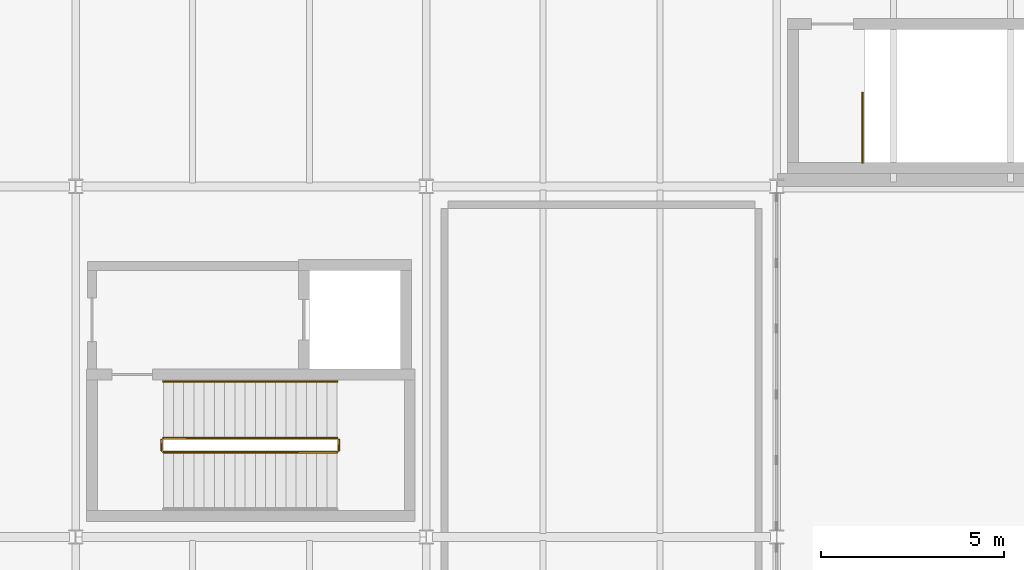
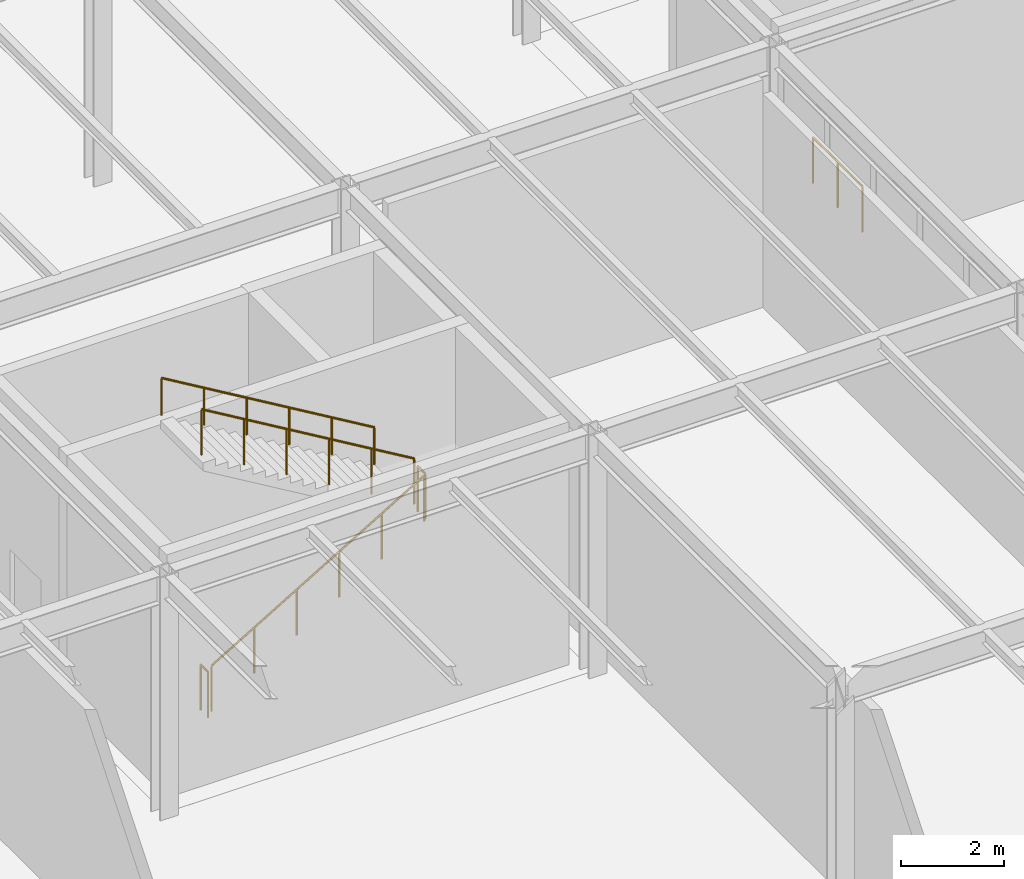
# One storey, part 130 of 142: 6 railings.
"""IFC4 building model written with IfcOpenShell, lengths in metres."""

from ifc_helpers import new_model, si_unit, direction, frame, origin, origin_2d, place, context, subcontext, project, spatial, circle, extrude, material, type_object, element, save


model = new_model("IFC4")

# Units and contexts
model_context = context("Model", 3, precision=1e-05, world=origin(), true_north=direction((0.0, 1.0)))
body_context = subcontext(model_context, "Body", "Model", "MODEL_VIEW")
ifc_project = project(units=[si_unit("LENGTHUNIT", "METRE"), si_unit("AREAUNIT", "SQUARE_METRE"), si_unit("VOLUMEUNIT", "CUBIC_METRE"), si_unit("PLANEANGLEUNIT", "RADIAN"), si_unit("MASSUNIT", "GRAM", prefix="KILO")], contexts=[model_context])

# Site, building, storey
site_placement = place(None, origin())
site = spatial("IfcSite", under=ifc_project, at=site_placement, CompositionType="ELEMENT")
building_placement = place(site_placement, origin())
building = spatial("IfcBuilding", under=site, at=building_placement, Name="Coralgate Yard Interchange", CompositionType="ELEMENT")
storey_placement = place(building_placement, origin())
storey = spatial("IfcBuildingStorey", under=building, at=storey_placement, Name="L00", CompositionType="ELEMENT", Elevation=0.0)

# Railings
ifc_material_1 = material(Name="Grade 316 marine stainless steel and toughened glass balustrade", Category="steel")
railing_type_1 = type_object("IfcRailingType", Name="RLG-GD1100", PredefinedType="BALUSTRADE", material=ifc_material_1)
railing_1_placement = place(storey_placement, frame((12.0, 31.1201171875, 0.166748046875)))
element("IfcRailing", 1, at=railing_1_placement, inside=storey, type_object=railing_type_1, Name="L00 ST-01 stair guard 1", PredefinedType="BALUSTRADE", context=body_context, shape_type="SweptSolid", body=[
    extrude(circle(Radius=0.02392578125, at=origin_2d()), frame((0.0, 0.0, 1.076171875), z_axis=(0.859299802514, 0.0, 0.511472237174), x_axis=(0.0, 1.0, 0.0)), (0.0, 0.0, 1.0), 5.539306640625),
    extrude(circle(Radius=0.02099609375, at=origin_2d()), origin(), (0.0, 0.0, 1.0), 1.051513671875),
    extrude(circle(Radius=0.02099609375, at=origin_2d()), frame((0.951904296875, 0.0, 0.566650390625)), (0.0, 0.0, 1.0), 1.051513671875),
    extrude(circle(Radius=0.02099609375, at=origin_2d()), frame((1.904052734375, 0.0, 1.13330078125)), (0.0, 0.0, 1.0), 1.051513671875),
    extrude(circle(Radius=0.02099609375, at=origin_2d()), frame((2.85595703125, 0.0, 1.699951171875)), (0.0, 0.0, 1.0), 1.051513671875),
    extrude(circle(Radius=0.02099609375, at=origin_2d()), frame((3.80810546875, 0.0, 2.2666015625)), (0.0, 0.0, 1.0), 1.051513671875),
    extrude(circle(Radius=0.02099609375, at=origin_2d()), frame((4.760009765625, 0.0, 2.833251953125)), (0.0, 0.0, 1.0), 1.051513671875),
])
railing_2_placement = place(storey_placement, frame((16.81005859375, 31.169921875, 3.0)))
element("IfcRailing", 2, at=railing_2_placement, inside=storey, type_object=railing_type_1, Name="L00 ST-01 stair guard 2", PredefinedType="BALUSTRADE", context=body_context, shape_type="SweptSolid", body=[
    extrude(circle(Radius=0.02392578125, at=origin_2d()), frame((0.0, 0.0, 1.076171875), z_axis=(0.0, 1.0, 0.0), x_axis=(-1.0, 0.0, 0.0)), (0.0, 0.0, 1.0), 0.2900390625),
    extrude(circle(Radius=0.02099609375, at=origin_2d()), origin(), (0.0, 0.0, 1.0), 1.051513671875),
    extrude(circle(Radius=0.02099609375, at=origin_2d()), frame((0.0, 0.2900390625, 0.0)), (0.0, 0.0, 1.0), 1.051513671875),
])
railing_3_placement = place(storey_placement, frame((16.760009765625, 31.510009765625, 3.166748046875)))
element("IfcRailing", 3, at=railing_3_placement, inside=storey, type_object=railing_type_1, Name="L00 ST-01 stair guard 3", PredefinedType="BALUSTRADE", context=body_context, shape_type="SweptSolid", body=[
    extrude(circle(Radius=0.02392578125, at=origin_2d()), frame((0.0, 0.0, 1.076171875), z_axis=(-0.859299802514, 0.0, 0.511472237174), x_axis=(0.0, -1.0, 0.0)), (0.0, 0.0, 1.0), 5.539306640625),
    extrude(circle(Radius=0.02099609375, at=origin_2d()), origin(), (0.0, 0.0, 1.0), 1.051513671875),
    extrude(circle(Radius=0.02099609375, at=origin_2d()), frame((-0.951904296875, 0.0, 0.566650390625)), (0.0, 0.0, 1.0), 1.051513671875),
    extrude(circle(Radius=0.02099609375, at=origin_2d()), frame((-1.904052734375, 0.0, 1.13330078125)), (0.0, 0.0, 1.0), 1.051513671875),
    extrude(circle(Radius=0.02099609375, at=origin_2d()), frame((-2.85595703125, 0.0, 1.699951171875)), (0.0, 0.0, 1.0), 1.051513671875),
    extrude(circle(Radius=0.02099609375, at=origin_2d()), frame((-3.80810546875, 0.0, 2.2666015625)), (0.0, 0.0, 1.0), 1.051513671875),
    extrude(circle(Radius=0.02099609375, at=origin_2d()), frame((-4.760009765625, 0.0, 2.833251953125)), (0.0, 0.0, 1.0), 1.051513671875),
])
railing_4_placement = place(storey_placement, frame((11.949951171875, 31.169921875, 0.0)))
element("IfcRailing", 4, at=railing_4_placement, inside=storey, type_object=railing_type_1, Name="L00 ST-01 stair guard 4", PredefinedType="BALUSTRADE", context=body_context, shape_type="SweptSolid", body=[
    extrude(circle(Radius=0.02392578125, at=origin_2d()), frame((0.0, 0.0, 1.076171875), z_axis=(0.0, 1.0, 0.0), x_axis=(-1.0, 0.0, 0.0)), (0.0, 0.0, 1.0), 0.2900390625),
    extrude(circle(Radius=0.02099609375, at=origin_2d()), origin(), (0.0, 0.0, 1.0), 1.051513671875),
    extrude(circle(Radius=0.02099609375, at=origin_2d()), frame((0.0, 0.2900390625, 0.0)), (0.0, 0.0, 1.0), 1.051513671875),
])
railing_5_placement = place(storey_placement, frame((31.14990234375, 39.050048828125, 0.0)))
element("IfcRailing", 5, at=railing_5_placement, inside=storey, type_object=railing_type_1, Name="L00 ST-12 top well guard 1", PredefinedType="BALUSTRADE", context=body_context, shape_type="SweptSolid", body=[
    extrude(circle(Radius=0.02392578125, at=origin_2d()), frame((0.0, 0.0, 1.076171875), z_axis=(0.0, 1.0, 0.0), x_axis=(-1.0, 0.0, 0.0)), (0.0, 0.0, 1.0), 1.909912109375),
    extrude(circle(Radius=0.02099609375, at=origin_2d()), origin(), (0.0, 0.0, 1.0), 1.051513671875),
    extrude(circle(Radius=0.02099609375, at=origin_2d()), frame((0.0, 0.955078125, 0.0)), (0.0, 0.0, 1.0), 1.051513671875),
    extrude(circle(Radius=0.02099609375, at=origin_2d()), frame((0.0, 1.909912109375, 0.0)), (0.0, 0.0, 1.0), 1.051513671875),
])
ifc_material_2 = material(Name="Grade 316 marine stainless steel", Category="steel")
railing_type_2 = type_object("IfcRailingType", Name="RLG-HR900", PredefinedType="HANDRAIL", material=ifc_material_2)
railing_6_placement = place(storey_placement, frame((16.760009765625, 33.06005859375, 3.166748046875)))
element("IfcRailing", 6, at=railing_6_placement, inside=storey, type_object=railing_type_2, Name="L00 ST-01 stair handrail 2", PredefinedType="HANDRAIL", context=body_context, shape_type="SweptSolid", body=[
    extrude(circle(Radius=0.02392578125, at=origin_2d()), frame((0.0, 0.0, 0.8759765625), z_axis=(-0.859299802514, 0.0, 0.511472237174), x_axis=(0.0, -1.0, 0.0)), (0.0, 0.0, 1.0), 5.539306640625),
    extrude(circle(Radius=0.02099609375, at=origin_2d()), origin(), (0.0, 0.0, 1.0), 0.851318359375),
    extrude(circle(Radius=0.02099609375, at=origin_2d()), frame((-0.951904296875, 0.0, 0.566650390625)), (0.0, 0.0, 1.0), 0.851318359375),
    extrude(circle(Radius=0.02099609375, at=origin_2d()), frame((-1.904052734375, 0.0, 1.13330078125)), (0.0, 0.0, 1.0), 0.851318359375),
    extrude(circle(Radius=0.02099609375, at=origin_2d()), frame((-2.85595703125, 0.0, 1.699951171875)), (0.0, 0.0, 1.0), 0.851318359375),
    extrude(circle(Radius=0.02099609375, at=origin_2d()), frame((-3.80810546875, 0.0, 2.2666015625)), (0.0, 0.0, 1.0), 0.851318359375),
    extrude(circle(Radius=0.02099609375, at=origin_2d()), frame((-4.760009765625, 0.0, 2.833251953125)), (0.0, 0.0, 1.0), 0.851318359375),
])

save(model, "model.ifc")
